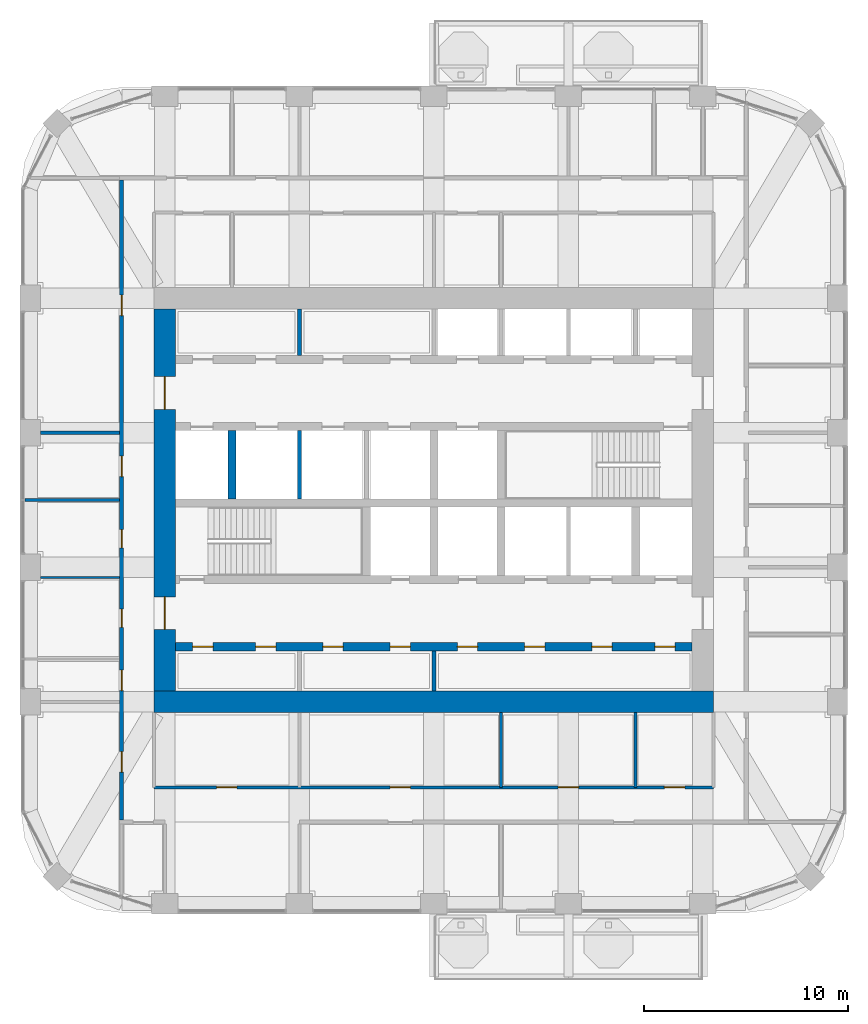
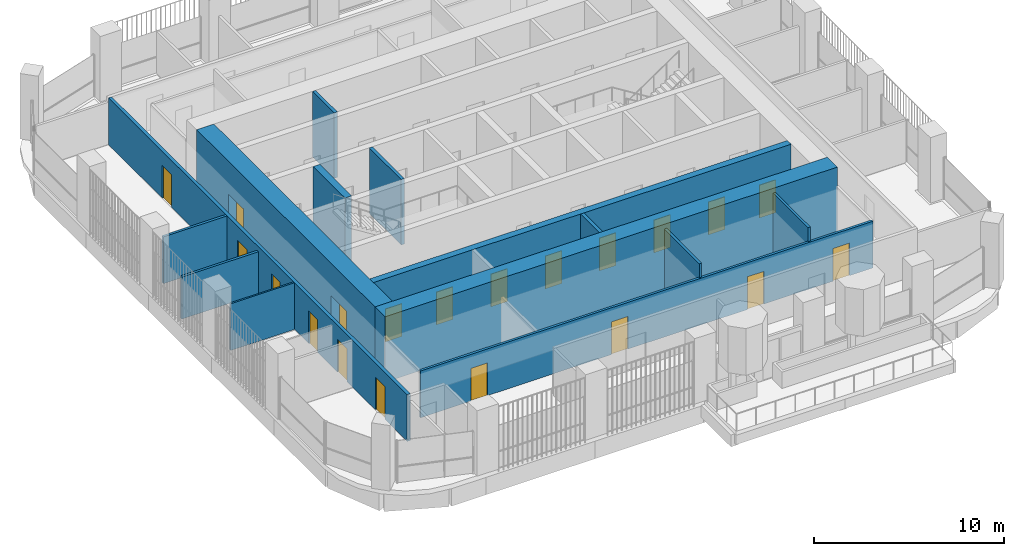
# One storey, part 14 of 21: 20 doors, 14 walls, 20 openings.
"""IFC4 building model written with IfcOpenShell, lengths in metres."""

from ifc_helpers import new_model, si_unit, direction, frame, frame_2d, origin, place, context, subcontext, project, spatial, rectangle, extrude, material, layer, layer_set, type_object, element, fill, save


model = new_model("IFC4")

# Units and contexts
model_context = context("Model", 3, precision=1e-05, world=origin(), true_north=direction((0.0, 1.0)))
body_context = subcontext(model_context, "Body", "Model", "MODEL_VIEW")
ifc_project = project(units=[si_unit("LENGTHUNIT", "METRE"), si_unit("AREAUNIT", "SQUARE_METRE"), si_unit("VOLUMEUNIT", "CUBIC_METRE"), si_unit("PLANEANGLEUNIT", "RADIAN"), si_unit("MASSUNIT", "GRAM", prefix="KILO")], contexts=[model_context])

# Site, building, storey
site_placement = place(None, origin())
site = spatial("IfcSite", under=ifc_project, at=site_placement, CompositionType="ELEMENT")
building_placement = place(site_placement, origin())
building = spatial("IfcBuilding", under=site, at=building_placement, Name="Cobogo Forest Laboratory Tower", CompositionType="ELEMENT")
storey_placement = place(building_placement, frame((0.0, 0.0, 250.199951171875)))
storey = spatial("IfcBuildingStorey", under=building, at=storey_placement, Name="L57", CompositionType="ELEMENT", Elevation=250.199951171875)

# Wall, openings, doors
ifc_material_1 = material(Name="Concrete HA-50 (C50/60)", Category="concrete")
ifc_layer_1 = layer(ifc_material_1, 0.39990234375)
ifc_layer_set_1 = layer_set([ifc_layer_1], Name="CI400 core inner wall 400")
wall_type_1 = type_object("IfcWallType", Name="CI400 core inner wall 400", PredefinedType="SHEAR", material=ifc_layer_set_1)
wall_1_placement = place(storey_placement, frame((13.72509765625, 15.89990234375, 0.0), z_axis=(0.0, 0.0, 1.0), x_axis=(1.0, 0.0, 0.0)))
wall_1 = element("IfcWall", 1, at=wall_1_placement, inside=storey, type_object=wall_type_1, Name="Core wall CI-15.9 L57", PredefinedType="SHEAR", context=body_context, shape_type="SweptSolid", body=[
    extrude(rectangle(XDim=25.349853515625, YDim=0.39990234375, at=frame_2d((12.6748046875, 0.0))), origin(), (0.0, 0.0, 1.0), 4.199951171875),
])
opening_1_placement = place(wall_1_placement, frame((0.83740234375, 0.0, 0.0)))
opening_1 = element("IfcOpeningElement", 2, at=opening_1_placement, cuts=wall_1, Name="Opening L57-D12", PredefinedType="OPENING", context=body_context, shape_type="SweptSolid", body=[
    extrude(rectangle(XDim=1.0, YDim=2.10009765625, at=frame_2d((0.5, 1.050048828125))), frame((0.0, 0.2099609375, 0.0), z_axis=(0.0, -1.0, 0.0), x_axis=(1.0, 0.0, 0.0)), (0.0, 0.0, 1.0), 0.419921875),
])
opening_2_placement = place(wall_1_placement, frame((3.925048828125, 0.0, 0.0)))
opening_2 = element("IfcOpeningElement", 3, at=opening_2_placement, cuts=wall_1, Name="Opening L57-D13", PredefinedType="OPENING", context=body_context, shape_type="SweptSolid", body=[
    extrude(rectangle(XDim=1.0, YDim=2.10009765625, at=frame_2d((0.5, 1.050048828125))), frame((0.0, 0.2099609375, 0.0), z_axis=(0.0, -1.0, 0.0), x_axis=(1.0, 0.0, 0.0)), (0.0, 0.0, 1.0), 0.419921875),
])
opening_3_placement = place(wall_1_placement, frame((7.22509765625, 0.0, 0.0)))
opening_3 = element("IfcOpeningElement", 4, at=opening_3_placement, cuts=wall_1, Name="Opening L57-D14", PredefinedType="OPENING", context=body_context, shape_type="SweptSolid", body=[
    extrude(rectangle(XDim=1.0, YDim=2.10009765625, at=frame_2d((0.5, 1.050048828125))), frame((0.0, 0.2099609375, 0.0), z_axis=(0.0, -1.0, 0.0), x_axis=(1.0, 0.0, 0.0)), (0.0, 0.0, 1.0), 0.419921875),
])
opening_4_placement = place(wall_1_placement, frame((10.52490234375, 0.0, 0.0)))
opening_4 = element("IfcOpeningElement", 5, at=opening_4_placement, cuts=wall_1, Name="Opening L57-D15", PredefinedType="OPENING", context=body_context, shape_type="SweptSolid", body=[
    extrude(rectangle(XDim=1.0, YDim=2.10009765625, at=frame_2d((0.5, 1.050048828125))), frame((0.0, 0.2099609375, 0.0), z_axis=(0.0, -1.0, 0.0), x_axis=(1.0, 0.0, 0.0)), (0.0, 0.0, 1.0), 0.419921875),
])
opening_5_placement = place(wall_1_placement, frame((13.824951171875, 0.0, 0.0)))
opening_5 = element("IfcOpeningElement", 6, at=opening_5_placement, cuts=wall_1, Name="Opening L57-D16", PredefinedType="OPENING", context=body_context, shape_type="SweptSolid", body=[
    extrude(rectangle(XDim=1.0, YDim=2.10009765625, at=frame_2d((0.5, 1.050048828125))), frame((0.0, 0.2099609375, 0.0), z_axis=(0.0, -1.0, 0.0), x_axis=(1.0, 0.0, 0.0)), (0.0, 0.0, 1.0), 0.419921875),
])
opening_6_placement = place(wall_1_placement, frame((17.125, 0.0, 0.0)))
opening_6 = element("IfcOpeningElement", 7, at=opening_6_placement, cuts=wall_1, Name="Opening L57-D17", PredefinedType="OPENING", context=body_context, shape_type="SweptSolid", body=[
    extrude(rectangle(XDim=1.0, YDim=2.10009765625, at=frame_2d((0.5, 1.050048828125))), frame((0.0, 0.2099609375, 0.0), z_axis=(0.0, -1.0, 0.0), x_axis=(1.0, 0.0, 0.0)), (0.0, 0.0, 1.0), 0.419921875),
])
opening_7_placement = place(wall_1_placement, frame((20.425048828125, 0.0, 0.0)))
opening_7 = element("IfcOpeningElement", 8, at=opening_7_placement, cuts=wall_1, Name="Opening L57-D18", PredefinedType="OPENING", context=body_context, shape_type="SweptSolid", body=[
    extrude(rectangle(XDim=1.0, YDim=2.10009765625, at=frame_2d((0.5, 1.050048828125))), frame((0.0, 0.2099609375, 0.0), z_axis=(0.0, -1.0, 0.0), x_axis=(1.0, 0.0, 0.0)), (0.0, 0.0, 1.0), 0.419921875),
])
opening_8_placement = place(wall_1_placement, frame((23.512451171875, 0.0, 0.0)))
opening_8 = element("IfcOpeningElement", 9, at=opening_8_placement, cuts=wall_1, Name="Opening L57-D19", PredefinedType="OPENING", context=body_context, shape_type="SweptSolid", body=[
    extrude(rectangle(XDim=1.0, YDim=2.10009765625, at=frame_2d((0.5, 1.050048828125))), frame((0.0, 0.2099609375, 0.0), z_axis=(0.0, -1.0, 0.0), x_axis=(1.0, 0.0, 0.0)), (0.0, 0.0, 1.0), 0.419921875),
])
ifc_material_2 = material(Name="Steel fire door", Category="steel")
door_type_1 = type_object("IfcDoorType", Name="FD1 fire door 1000 EI2 60", OperationType="SINGLE_SWING_LEFT", PredefinedType="DOOR", material=ifc_material_2)
door_1_placement = place(opening_1_placement, origin())
door_1 = element("IfcDoor", 10, at=door_1_placement, inside=storey, type_object=door_type_1, Name="Door L57-SH-LA1", OperationType="SINGLE_SWING_LEFT", OverallHeight=2.10009765625, OverallWidth=1.0, PredefinedType="DOOR", context=body_context, shape_type="SweptSolid", body=[
    extrude(rectangle(XDim=1.0, YDim=2.10009765625, at=frame_2d((0.5, 1.050048828125))), frame((0.0, 0.02490234375, 0.0), z_axis=(0.0, -1.0, 0.0), x_axis=(1.0, 0.0, 0.0)), (0.0, 0.0, 1.0), 0.050048828125),
])
fill(opening_1, door_1)
door_2_placement = place(opening_2_placement, origin())
door_2 = element("IfcDoor", 11, at=door_2_placement, inside=storey, type_object=door_type_1, Name="Door L57-SH-LA2", OperationType="SINGLE_SWING_LEFT", OverallHeight=2.10009765625, OverallWidth=1.0, PredefinedType="DOOR", context=body_context, shape_type="SweptSolid", body=[
    extrude(rectangle(XDim=1.0, YDim=2.10009765625, at=frame_2d((0.5, 1.050048828125))), frame((0.0, 0.02490234375, 0.0), z_axis=(0.0, -1.0, 0.0), x_axis=(1.0, 0.0, 0.0)), (0.0, 0.0, 1.0), 0.050048828125),
])
fill(opening_2, door_2)
door_3_placement = place(opening_3_placement, origin())
door_3 = element("IfcDoor", 12, at=door_3_placement, inside=storey, type_object=door_type_1, Name="Door L57-SH-LA3", OperationType="SINGLE_SWING_LEFT", OverallHeight=2.10009765625, OverallWidth=1.0, PredefinedType="DOOR", context=body_context, shape_type="SweptSolid", body=[
    extrude(rectangle(XDim=1.0, YDim=2.10009765625, at=frame_2d((0.5, 1.050048828125))), frame((0.0, 0.02490234375, 0.0), z_axis=(0.0, -1.0, 0.0), x_axis=(1.0, 0.0, 0.0)), (0.0, 0.0, 1.0), 0.050048828125),
])
fill(opening_3, door_3)
door_4_placement = place(opening_4_placement, origin())
door_4 = element("IfcDoor", 13, at=door_4_placement, inside=storey, type_object=door_type_1, Name="Door L57-SH-LA4", OperationType="SINGLE_SWING_LEFT", OverallHeight=2.10009765625, OverallWidth=1.0, PredefinedType="DOOR", context=body_context, shape_type="SweptSolid", body=[
    extrude(rectangle(XDim=1.0, YDim=2.10009765625, at=frame_2d((0.5, 1.050048828125))), frame((0.0, 0.02490234375, 0.0), z_axis=(0.0, -1.0, 0.0), x_axis=(1.0, 0.0, 0.0)), (0.0, 0.0, 1.0), 0.050048828125),
])
fill(opening_4, door_4)
door_5_placement = place(opening_5_placement, origin())
door_5 = element("IfcDoor", 14, at=door_5_placement, inside=storey, type_object=door_type_1, Name="Door L57-SH-LB1", OperationType="SINGLE_SWING_RIGHT", OverallHeight=2.10009765625, OverallWidth=1.0, PredefinedType="DOOR", context=body_context, shape_type="SweptSolid", body=[
    extrude(rectangle(XDim=1.0, YDim=2.10009765625, at=frame_2d((0.5, 1.050048828125))), frame((0.0, 0.02490234375, 0.0), z_axis=(0.0, -1.0, 0.0), x_axis=(1.0, 0.0, 0.0)), (0.0, 0.0, 1.0), 0.050048828125),
])
fill(opening_5, door_5)
door_6_placement = place(opening_6_placement, origin())
door_6 = element("IfcDoor", 15, at=door_6_placement, inside=storey, type_object=door_type_1, Name="Door L57-SH-LB2", OperationType="SINGLE_SWING_RIGHT", OverallHeight=2.10009765625, OverallWidth=1.0, PredefinedType="DOOR", context=body_context, shape_type="SweptSolid", body=[
    extrude(rectangle(XDim=1.0, YDim=2.10009765625, at=frame_2d((0.5, 1.050048828125))), frame((0.0, 0.02490234375, 0.0), z_axis=(0.0, -1.0, 0.0), x_axis=(1.0, 0.0, 0.0)), (0.0, 0.0, 1.0), 0.050048828125),
])
fill(opening_6, door_6)
door_7_placement = place(opening_7_placement, origin())
door_7 = element("IfcDoor", 16, at=door_7_placement, inside=storey, type_object=door_type_1, Name="Door L57-SH-LB3", OperationType="SINGLE_SWING_RIGHT", OverallHeight=2.10009765625, OverallWidth=1.0, PredefinedType="DOOR", context=body_context, shape_type="SweptSolid", body=[
    extrude(rectangle(XDim=1.0, YDim=2.10009765625, at=frame_2d((0.5, 1.050048828125))), frame((0.0, 0.02490234375, 0.0), z_axis=(0.0, -1.0, 0.0), x_axis=(1.0, 0.0, 0.0)), (0.0, 0.0, 1.0), 0.050048828125),
])
fill(opening_7, door_7)
door_8_placement = place(opening_8_placement, origin())
door_8 = element("IfcDoor", 17, at=door_8_placement, inside=storey, type_object=door_type_1, Name="Door L57-SH-LB4", OperationType="SINGLE_SWING_RIGHT", OverallHeight=2.10009765625, OverallWidth=1.0, PredefinedType="DOOR", context=body_context, shape_type="SweptSolid", body=[
    extrude(rectangle(XDim=1.0, YDim=2.10009765625, at=frame_2d((0.5, 1.050048828125))), frame((0.0, 0.02490234375, 0.0), z_axis=(0.0, -1.0, 0.0), x_axis=(1.0, 0.0, 0.0)), (0.0, 0.0, 1.0), 0.050048828125),
])
fill(opening_8, door_8)

# Walls
wall_2_placement = place(storey_placement, frame((16.5, 23.14990234375, 0.0), z_axis=(0.0, 0.0, 1.0), x_axis=(0.0, 1.0, 0.0)))
element("IfcWall", 18, at=wall_2_placement, inside=storey, type_object=wall_type_1, Name="Core wall CX-16.5 L57", PredefinedType="SHEAR", context=body_context, shape_type="SweptSolid", body=[
    extrude(rectangle(XDim=3.35009765625, YDim=0.39990234375, at=frame_2d((1.675048828125, 0.0))), origin(), (0.0, 0.0, 1.0), 4.199951171875),
])
ifc_layer_2 = layer(ifc_material_1, 1.050048828125)
ifc_layer_set_2 = layer_set([ifc_layer_2], Name="CW1050 core outer wall 1050")
wall_type_2 = type_object("IfcWallType", Name="CW1050 core outer wall 1050", PredefinedType="SHEAR", material=ifc_layer_set_2)
wall_3_placement = place(storey_placement, frame((12.675048828125, 13.199951171875, 0.0), z_axis=(0.0, 0.0, 1.0), x_axis=(1.0, 0.0, 0.0)))
element("IfcWall", 19, at=wall_3_placement, inside=storey, type_object=wall_type_2, Name="Core wall CO-S L57", PredefinedType="SHEAR", context=body_context, shape_type="SweptSolid", body=[
    extrude(rectangle(XDim=27.449951171875, YDim=1.050048828125, at=frame_2d((13.72509765625, 0.0))), origin(), (0.0, 0.0, 1.0), 4.199951171875),
])

# Wall, openings, doors
wall_4_placement = place(storey_placement, frame((13.199951171875, 32.47509765625, 0.0), z_axis=(0.0, 0.0, 1.0), x_axis=(0.0, -1.0, 0.0)))
wall_4 = element("IfcWall", 20, at=wall_4_placement, inside=storey, type_object=wall_type_2, Name="Core wall CO-W L57", PredefinedType="SHEAR", context=body_context, shape_type="SweptSolid", body=[
    extrude(rectangle(XDim=18.75, YDim=1.050048828125, at=frame_2d((9.375, 0.0))), origin(), (0.0, 0.0, 1.0), 4.199951171875),
])
opening_9_placement = place(wall_4_placement, frame((14.125, 0.0, 0.0)))
opening_9 = element("IfcOpeningElement", 21, at=opening_9_placement, cuts=wall_4, Name="Opening L57-D21", PredefinedType="OPENING", context=body_context, shape_type="SweptSolid", body=[
    extrude(rectangle(XDim=1.60009765625, YDim=2.10009765625, at=frame_2d((0.800048828125, 1.050048828125))), frame((0.0, 0.534912109375, 0.0), z_axis=(0.0, -1.0, 0.0), x_axis=(1.0, 0.0, 0.0)), (0.0, 0.0, 1.0), 1.070068359375),
])
opening_10_placement = place(wall_4_placement, frame((3.324951171875, 0.0, 0.0)))
opening_10 = element("IfcOpeningElement", 22, at=opening_10_placement, cuts=wall_4, Name="Opening L57-D33", PredefinedType="OPENING", context=body_context, shape_type="SweptSolid", body=[
    extrude(rectangle(XDim=1.60009765625, YDim=2.10009765625, at=frame_2d((0.800048828125, 1.050048828125))), frame((0.0, 0.534912109375, 0.0), z_axis=(0.0, -1.0, 0.0), x_axis=(1.0, 0.0, 0.0)), (0.0, 0.0, 1.0), 1.070068359375),
])
door_type_2 = type_object("IfcDoorType", Name="DS2 protected lobby door pair 1600 EI2 60", OperationType="DOUBLE_DOOR_DOUBLE_SWING", PredefinedType="DOOR", material=ifc_material_2)
door_9_placement = place(opening_9_placement, origin())
door_9 = element("IfcDoor", 23, at=door_9_placement, inside=storey, type_object=door_type_2, Name="Door L57-CO-W-S", OperationType="DOUBLE_DOOR_DOUBLE_SWING", OverallHeight=2.10009765625, OverallWidth=1.60009765625, PredefinedType="DOOR", context=body_context, shape_type="SweptSolid", body=[
    extrude(rectangle(XDim=1.60009765625, YDim=2.10009765625, at=frame_2d((0.800048828125, 1.050048828125))), frame((0.0, 0.02490234375, 0.0), z_axis=(0.0, -1.0, 0.0), x_axis=(1.0, 0.0, 0.0)), (0.0, 0.0, 1.0), 0.050048828125),
])
fill(opening_9, door_9)
door_10_placement = place(opening_10_placement, origin())
door_10 = element("IfcDoor", 24, at=door_10_placement, inside=storey, type_object=door_type_2, Name="Door L57-CO-W-N", OperationType="DOUBLE_DOOR_DOUBLE_SWING", OverallHeight=2.10009765625, OverallWidth=1.60009765625, PredefinedType="DOOR", context=body_context, shape_type="SweptSolid", body=[
    extrude(rectangle(XDim=1.60009765625, YDim=2.10009765625, at=frame_2d((0.800048828125, 1.050048828125))), frame((0.0, 0.02490234375, 0.0), z_axis=(0.0, -1.0, 0.0), x_axis=(1.0, 0.0, 0.0)), (0.0, 0.0, 1.0), 0.050048828125),
])
fill(opening_10, door_10)

ifc_material_3 = material(Name="Gypsum board on steel studs", Category="steel")
ifc_layer_3 = layer(ifc_material_3, 0.14990234375)
ifc_layer_set_3 = layer_set([ifc_layer_3], Name="PT1 laboratory partition 150")
wall_type_3 = type_object("IfcWallType", Name="PT1 laboratory partition 150", PredefinedType="PARTITIONING", material=ifc_layer_set_3)
wall_5_placement = place(storey_placement, frame((12.675048828125, 9.0, 0.0), z_axis=(0.0, 0.0, 1.0), x_axis=(1.0, 0.0, 0.0)))
wall_5 = element("IfcWall", 25, at=wall_5_placement, inside=storey, type_object=wall_type_3, Name="Partition CSTRIP-S L57", PredefinedType="PARTITIONING", context=body_context, shape_type="SweptSolid", body=[
    extrude(rectangle(XDim=27.449951171875, YDim=0.14990234375, at=frame_2d((13.72509765625, 0.0))), origin(), (0.0, 0.0, 1.0), 3.0),
])
opening_11_placement = place(wall_5_placement, frame((3.0625, 0.0, 0.0)))
opening_11 = element("IfcOpeningElement", 26, at=opening_11_placement, cuts=wall_5, Name="Opening L57-D05", PredefinedType="OPENING", context=body_context, shape_type="SweptSolid", body=[
    extrude(rectangle(XDim=1.0, YDim=2.10009765625, at=frame_2d((0.5, 1.050048828125))), frame((0.0, 0.0849609375, 0.0), z_axis=(0.0, -1.0, 0.0), x_axis=(1.0, 0.0, 0.0)), (0.0, 0.0, 1.0), 0.169921875),
])
opening_12_placement = place(wall_5_placement, frame((11.574951171875, 0.0, 0.0)))
opening_12 = element("IfcOpeningElement", 27, at=opening_12_placement, cuts=wall_5, Name="Opening L57-D06", PredefinedType="OPENING", context=body_context, shape_type="SweptSolid", body=[
    extrude(rectangle(XDim=1.0, YDim=2.10009765625, at=frame_2d((0.5, 1.050048828125))), frame((0.0, 0.0849609375, 0.0), z_axis=(0.0, -1.0, 0.0), x_axis=(1.0, 0.0, 0.0)), (0.0, 0.0, 1.0), 0.169921875),
])
opening_13_placement = place(wall_5_placement, frame((19.824951171875, 0.0, 0.0)))
opening_13 = element("IfcOpeningElement", 28, at=opening_13_placement, cuts=wall_5, Name="Opening L57-D07", PredefinedType="OPENING", context=body_context, shape_type="SweptSolid", body=[
    extrude(rectangle(XDim=1.0, YDim=2.10009765625, at=frame_2d((0.5, 1.050048828125))), frame((0.0, 0.0849609375, 0.0), z_axis=(0.0, -1.0, 0.0), x_axis=(1.0, 0.0, 0.0)), (0.0, 0.0, 1.0), 0.169921875),
])
opening_14_placement = place(wall_5_placement, frame((25.03759765625, 0.0, 0.0)))
opening_14 = element("IfcOpeningElement", 29, at=opening_14_placement, cuts=wall_5, Name="Opening L57-D08", PredefinedType="OPENING", context=body_context, shape_type="SweptSolid", body=[
    extrude(rectangle(XDim=1.0, YDim=2.10009765625, at=frame_2d((0.5, 1.050048828125))), frame((0.0, 0.0849609375, 0.0), z_axis=(0.0, -1.0, 0.0), x_axis=(1.0, 0.0, 0.0)), (0.0, 0.0, 1.0), 0.169921875),
])
ifc_material_4 = material(Name="Timber fire door", Category="wood")
door_type_3 = type_object("IfcDoorType", Name="FD2 fire door 1000 EI2 30", OperationType="SINGLE_SWING_LEFT", PredefinedType="DOOR", material=ifc_material_4)
door_11_placement = place(opening_11_placement, origin())
door_11 = element("IfcDoor", 30, at=door_11_placement, inside=storey, type_object=door_type_3, Name="Door L57-CSS1", OperationType="SINGLE_SWING_LEFT", OverallHeight=2.10009765625, OverallWidth=1.0, PredefinedType="DOOR", context=body_context, shape_type="SweptSolid", body=[
    extrude(rectangle(XDim=1.0, YDim=2.10009765625, at=frame_2d((0.5, 1.050048828125))), frame((0.0, 0.02490234375, 0.0), z_axis=(0.0, -1.0, 0.0), x_axis=(1.0, 0.0, 0.0)), (0.0, 0.0, 1.0), 0.050048828125),
])
fill(opening_11, door_11)
door_12_placement = place(opening_12_placement, origin())
door_12 = element("IfcDoor", 31, at=door_12_placement, inside=storey, type_object=door_type_3, Name="Door L57-CSS2", OperationType="SINGLE_SWING_LEFT", OverallHeight=2.10009765625, OverallWidth=1.0, PredefinedType="DOOR", context=body_context, shape_type="SweptSolid", body=[
    extrude(rectangle(XDim=1.0, YDim=2.10009765625, at=frame_2d((0.5, 1.050048828125))), frame((0.0, 0.02490234375, 0.0), z_axis=(0.0, -1.0, 0.0), x_axis=(1.0, 0.0, 0.0)), (0.0, 0.0, 1.0), 0.050048828125),
])
fill(opening_12, door_12)
door_13_placement = place(opening_13_placement, origin())
door_13 = element("IfcDoor", 32, at=door_13_placement, inside=storey, type_object=door_type_3, Name="Door L57-CSS3", OperationType="SINGLE_SWING_RIGHT", OverallHeight=2.10009765625, OverallWidth=1.0, PredefinedType="DOOR", context=body_context, shape_type="SweptSolid", body=[
    extrude(rectangle(XDim=1.0, YDim=2.10009765625, at=frame_2d((0.5, 1.050048828125))), frame((0.0, 0.02490234375, 0.0), z_axis=(0.0, -1.0, 0.0), x_axis=(1.0, 0.0, 0.0)), (0.0, 0.0, 1.0), 0.050048828125),
])
fill(opening_13, door_13)
door_14_placement = place(opening_14_placement, origin())
door_14 = element("IfcDoor", 33, at=door_14_placement, inside=storey, type_object=door_type_3, Name="Door L57-CSS4", OperationType="SINGLE_SWING_RIGHT", OverallHeight=2.10009765625, OverallWidth=1.0, PredefinedType="DOOR", context=body_context, shape_type="SweptSolid", body=[
    extrude(rectangle(XDim=1.0, YDim=2.10009765625, at=frame_2d((0.5, 1.050048828125))), frame((0.0, 0.02490234375, 0.0), z_axis=(0.0, -1.0, 0.0), x_axis=(1.0, 0.0, 0.0)), (0.0, 0.0, 1.0), 0.050048828125),
])
fill(opening_14, door_14)

# Walls
for number, where, z_axis, x_axis, name in (
    (34, (29.699951171875, 12.675048828125, 0.0), (0.0, 0.0, 1.0), (0.0, -1.0, 0.0), "Partition CSTRIP-S29.7 L57"),
    (35, (36.300048828125, 12.675048828125, 0.0), (0.0, 0.0, 1.0), (0.0, -1.0, 0.0), "Partition CSTRIP-S36.3 L57"),
):
    element("IfcWall", number, at=place(storey_placement, frame(where, z_axis=z_axis, x_axis=x_axis)), inside=storey, type_object=wall_type_3, Name=name, PredefinedType="PARTITIONING", context=body_context, shape_type="SweptSolid", body=[
        extrude(rectangle(XDim=3.675048828125, YDim=0.14990234375, at=frame_2d((1.83740234375, 0.0))), origin(), (0.0, 0.0, 1.0), 3.900146484375),
    ])
wall_6_placement = place(storey_placement, frame((6.330078125, 23.10009765625, 0.0), z_axis=(0.0, 0.0, 1.0), x_axis=(1.0, 0.0, 0.0)))
element("IfcWall", 36, at=wall_6_placement, inside=storey, type_object=wall_type_3, Name="Partition SVC-W3-1 L57", PredefinedType="PARTITIONING", context=body_context, shape_type="SweptSolid", body=[
    extrude(rectangle(XDim=4.64501953125, YDim=0.14990234375, at=frame_2d((2.322509765625, 0.0))), origin(), (0.0, 0.0, 1.0), 2.699951171875),
])
wall_7_placement = place(storey_placement, frame((7.10009765625, 26.39990234375, 0.0), z_axis=(0.0, 0.0, 1.0), x_axis=(1.0, 0.0, 0.0)))
element("IfcWall", 37, at=wall_7_placement, inside=storey, type_object=wall_type_3, Name="Partition CUT-W26.4-1 L57", PredefinedType="PARTITIONING", context=body_context, shape_type="SweptSolid", body=[
    extrude(rectangle(XDim=3.875, YDim=0.14990234375, at=frame_2d((1.9375, 0.0))), origin(), (0.0, 0.0, 1.0), 3.0),
])

# Wall, openings, doors
ifc_layer_4 = layer(ifc_material_3, 0.199951171875)
ifc_layer_set_4 = layer_set([ifc_layer_4], Name="PT2 fire-rated corridor partition 200")
wall_type_4 = type_object("IfcWallType", Name="PT2 fire-rated corridor partition 200", PredefinedType="PARTITIONING", material=ifc_layer_set_4)
wall_8_placement = place(storey_placement, frame((11.074951171875, 7.39990234375, 0.0), z_axis=(0.0, 0.0, 1.0), x_axis=(0.0, 1.0, 0.0)))
wall_8 = element("IfcWall", 38, at=wall_8_placement, inside=storey, type_object=wall_type_4, Name="Partition CORR-W L57", PredefinedType="PARTITIONING", context=body_context, shape_type="SweptSolid", body=[
    extrude(rectangle(XDim=31.400146484375, YDim=0.199951171875, at=frame_2d((15.7001953125, 0.0))), origin(), (0.0, 0.0, 1.0), 3.0),
])
opening_15_placement = place(wall_8_placement, frame((2.35009765625, 0.0, 0.0)))
opening_15 = element("IfcOpeningElement", 39, at=opening_15_placement, cuts=wall_8, Name="Opening L57-D09", PredefinedType="OPENING", context=body_context, shape_type="SweptSolid", body=[
    extrude(rectangle(XDim=1.0, YDim=2.10009765625, at=frame_2d((0.5, 1.050048828125))), frame((0.0, 0.10986328125, 0.0), z_axis=(0.0, -1.0, 0.0), x_axis=(1.0, 0.0, 0.0)), (0.0, 0.0, 1.0), 0.219970703125),
])
opening_16_placement = place(wall_8_placement, frame((6.35009765625, 0.0, 0.0)))
opening_16 = element("IfcOpeningElement", 40, at=opening_16_placement, cuts=wall_8, Name="Opening L57-D11", PredefinedType="OPENING", context=body_context, shape_type="SweptSolid", body=[
    extrude(rectangle(XDim=1.0, YDim=2.10009765625, at=frame_2d((0.5, 1.050048828125))), frame((0.0, 0.10986328125, 0.0), z_axis=(0.0, -1.0, 0.0), x_axis=(1.0, 0.0, 0.0)), (0.0, 0.0, 1.0), 0.219970703125),
])
opening_17_placement = place(wall_8_placement, frame((9.449951171875, 0.0, 0.0)))
opening_17 = element("IfcOpeningElement", 41, at=opening_17_placement, cuts=wall_8, Name="Opening L57-D20", PredefinedType="OPENING", context=body_context, shape_type="SweptSolid", body=[
    extrude(rectangle(XDim=0.89990234375, YDim=2.10009765625, at=frame_2d((0.449951171875, 1.050048828125))), frame((0.0, 0.10986328125, 0.0), z_axis=(0.0, -1.0, 0.0), x_axis=(1.0, 0.0, 0.0)), (0.0, 0.0, 1.0), 0.219970703125),
])
opening_18_placement = place(wall_8_placement, frame((13.35009765625, 0.0, 0.0)))
opening_18 = element("IfcOpeningElement", 42, at=opening_18_placement, cuts=wall_8, Name="Opening L57-D27", PredefinedType="OPENING", context=body_context, shape_type="SweptSolid", body=[
    extrude(rectangle(XDim=0.89990234375, YDim=2.10009765625, at=frame_2d((0.449951171875, 1.050048828125))), frame((0.0, 0.10986328125, 0.0), z_axis=(0.0, -1.0, 0.0), x_axis=(1.0, 0.0, 0.0)), (0.0, 0.0, 1.0), 0.219970703125),
])
opening_19_placement = place(wall_8_placement, frame((16.85009765625, 0.0, 0.0)))
opening_19 = element("IfcOpeningElement", 43, at=opening_19_placement, cuts=wall_8, Name="Opening L57-D30", PredefinedType="OPENING", context=body_context, shape_type="SweptSolid", body=[
    extrude(rectangle(XDim=1.0, YDim=2.10009765625, at=frame_2d((0.5, 1.050048828125))), frame((0.0, 0.10986328125, 0.0), z_axis=(0.0, -1.0, 0.0), x_axis=(1.0, 0.0, 0.0)), (0.0, 0.0, 1.0), 0.219970703125),
])
opening_20_placement = place(wall_8_placement, frame((24.75, 0.0, 0.0)))
opening_20 = element("IfcOpeningElement", 44, at=opening_20_placement, cuts=wall_8, Name="Opening L57-D39", PredefinedType="OPENING", context=body_context, shape_type="SweptSolid", body=[
    extrude(rectangle(XDim=1.0, YDim=2.10009765625, at=frame_2d((0.5, 1.050048828125))), frame((0.0, 0.10986328125, 0.0), z_axis=(0.0, -1.0, 0.0), x_axis=(1.0, 0.0, 0.0)), (0.0, 0.0, 1.0), 0.219970703125),
])
door_15_placement = place(opening_15_placement, origin())
door_15 = element("IfcDoor", 45, at=door_15_placement, inside=storey, type_object=door_type_3, Name="Door L57-W1", OperationType="SINGLE_SWING_LEFT", OverallHeight=2.10009765625, OverallWidth=1.0, PredefinedType="DOOR", context=body_context, shape_type="SweptSolid", body=[
    extrude(rectangle(XDim=1.0, YDim=2.10009765625, at=frame_2d((0.5, 1.050048828125))), frame((0.0, 0.02490234375, 0.0), z_axis=(0.0, -1.0, 0.0), x_axis=(1.0, 0.0, 0.0)), (0.0, 0.0, 1.0), 0.050048828125),
])
fill(opening_15, door_15)
door_16_placement = place(opening_19_placement, origin())
door_16 = element("IfcDoor", 46, at=door_16_placement, inside=storey, type_object=door_type_3, Name="Door L57-W2", OperationType="SINGLE_SWING_RIGHT", OverallHeight=2.10009765625, OverallWidth=1.0, PredefinedType="DOOR", context=body_context, shape_type="SweptSolid", body=[
    extrude(rectangle(XDim=1.0, YDim=2.10009765625, at=frame_2d((0.5, 1.050048828125))), frame((0.0, 0.02490234375, 0.0), z_axis=(0.0, -1.0, 0.0), x_axis=(1.0, 0.0, 0.0)), (0.0, 0.0, 1.0), 0.050048828125),
])
fill(opening_19, door_16)
door_17_placement = place(opening_20_placement, origin())
door_17 = element("IfcDoor", 47, at=door_17_placement, inside=storey, type_object=door_type_3, Name="Door L57-W3", OperationType="SINGLE_SWING_RIGHT", OverallHeight=2.10009765625, OverallWidth=1.0, PredefinedType="DOOR", context=body_context, shape_type="SweptSolid", body=[
    extrude(rectangle(XDim=1.0, YDim=2.10009765625, at=frame_2d((0.5, 1.050048828125))), frame((0.0, 0.02490234375, 0.0), z_axis=(0.0, -1.0, 0.0), x_axis=(1.0, 0.0, 0.0)), (0.0, 0.0, 1.0), 0.050048828125),
])
fill(opening_20, door_17)
door_type_4 = type_object("IfcDoorType", Name="FD3 toilet fire door 900 EI2 30", OperationType="SINGLE_SWING_LEFT", PredefinedType="DOOR", material=ifc_material_4)
door_18_placement = place(opening_17_placement, origin())
door_18 = element("IfcDoor", 48, at=door_18_placement, inside=storey, type_object=door_type_4, Name="Door L57-WCF", OperationType="SINGLE_SWING_LEFT", OverallHeight=2.10009765625, OverallWidth=0.89990234375, PredefinedType="DOOR", context=body_context, shape_type="SweptSolid", body=[
    extrude(rectangle(XDim=0.89990234375, YDim=2.10009765625, at=frame_2d((0.449951171875, 1.050048828125))), frame((0.0, 0.02490234375, 0.0), z_axis=(0.0, -1.0, 0.0), x_axis=(1.0, 0.0, 0.0)), (0.0, 0.0, 1.0), 0.050048828125),
])
fill(opening_17, door_18)
door_19_placement = place(opening_18_placement, origin())
door_19 = element("IfcDoor", 49, at=door_19_placement, inside=storey, type_object=door_type_4, Name="Door L57-WCM", OperationType="SINGLE_SWING_LEFT", OverallHeight=2.10009765625, OverallWidth=0.89990234375, PredefinedType="DOOR", context=body_context, shape_type="SweptSolid", body=[
    extrude(rectangle(XDim=0.89990234375, YDim=2.10009765625, at=frame_2d((0.449951171875, 1.050048828125))), frame((0.0, 0.02490234375, 0.0), z_axis=(0.0, -1.0, 0.0), x_axis=(1.0, 0.0, 0.0)), (0.0, 0.0, 1.0), 0.050048828125),
])
fill(opening_18, door_19)
door_type_5 = type_object("IfcDoorType", Name="FDA1 accessible toilet fire door 1000 EI2 30", OperationType="SINGLE_SWING_RIGHT", PredefinedType="DOOR", material=ifc_material_4)
door_20_placement = place(opening_16_placement, origin())
door_20 = element("IfcDoor", 50, at=door_20_placement, inside=storey, type_object=door_type_5, Name="Door L57-WCA", OperationType="SINGLE_SWING_LEFT", OverallHeight=2.10009765625, OverallWidth=1.0, PredefinedType="DOOR", context=body_context, shape_type="SweptSolid", body=[
    extrude(rectangle(XDim=1.0, YDim=2.10009765625, at=frame_2d((0.5, 1.050048828125))), frame((0.0, 0.02490234375, 0.0), z_axis=(0.0, -1.0, 0.0), x_axis=(1.0, 0.0, 0.0)), (0.0, 0.0, 1.0), 0.050048828125),
])
fill(opening_16, door_20)

# Walls
ifc_layer_5 = layer(ifc_material_3, 0.10009765625)
ifc_layer_set_5 = layer_set([ifc_layer_5], Name="PT3 toilet partition 100")
wall_type_5 = type_object("IfcWallType", Name="PT3 toilet partition 100", PredefinedType="PARTITIONING", material=ifc_layer_set_5)
wall_9_placement = place(storey_placement, frame((7.10009765625, 19.300048828125, 0.0), z_axis=(0.0, 0.0, 1.0), x_axis=(1.0, 0.0, 0.0)))
element("IfcWall", 51, at=wall_9_placement, inside=storey, type_object=wall_type_5, Name="Partition SVC-W2-1 L57", PredefinedType="PARTITIONING", context=body_context, shape_type="SweptSolid", body=[
    extrude(rectangle(XDim=3.875, YDim=0.10009765625, at=frame_2d((1.9375, 0.0))), origin(), (0.0, 0.0, 1.0), 3.0),
])
ifc_material_5 = material(Name="Concrete block", Category="concrete")
ifc_layer_6 = layer(ifc_material_5, 0.199951171875)
ifc_layer_set_6 = layer_set([ifc_layer_6], Name="SW200 lift shaft separator 200")
wall_type_6 = type_object("IfcWallType", Name="SW200 lift shaft separator 200", PredefinedType="PARTITIONING", material=ifc_layer_set_6)
wall_10_placement = place(storey_placement, frame((19.800048828125, 30.199951171875, 0.0), z_axis=(0.0, 0.0, 1.0), x_axis=(0.0, 1.0, 0.0)))
element("IfcWall", 52, at=wall_10_placement, inside=storey, type_object=wall_type_6, Name="Core wall SEP-N2 L57", PredefinedType="PARTITIONING", context=body_context, shape_type="SweptSolid", body=[
    extrude(rectangle(XDim=2.275146484375, YDim=0.199951171875, at=frame_2d((1.1376953125, 0.0))), origin(), (0.0, 0.0, 1.0), 4.199951171875),
])
wall_11_placement = place(storey_placement, frame((26.39990234375, 13.72509765625, 0.0), z_axis=(0.0, 0.0, 1.0), x_axis=(0.0, 1.0, 0.0)))
element("IfcWall", 53, at=wall_11_placement, inside=storey, type_object=wall_type_6, Name="Core wall SEP-S4 L57", PredefinedType="PARTITIONING", context=body_context, shape_type="SweptSolid", body=[
    extrude(rectangle(XDim=1.974853515625, YDim=0.199951171875, at=frame_2d((0.9873046875, 0.0))), origin(), (0.0, 0.0, 1.0), 4.199951171875),
])
wall_12_placement = place(storey_placement, frame((19.800048828125, 23.14990234375, 0.0), z_axis=(0.0, 0.0, 1.0), x_axis=(0.0, 1.0, 0.0)))
element("IfcWall", 54, at=wall_12_placement, inside=storey, type_object=wall_type_6, Name="Core wall SEP-M19.8 L57", PredefinedType="PARTITIONING", context=body_context, shape_type="SweptSolid", body=[
    extrude(rectangle(XDim=3.35009765625, YDim=0.199951171875, at=frame_2d((1.675048828125, 0.0))), origin(), (0.0, 0.0, 1.0), 4.199951171875),
])

save(model, "model.ifc")
